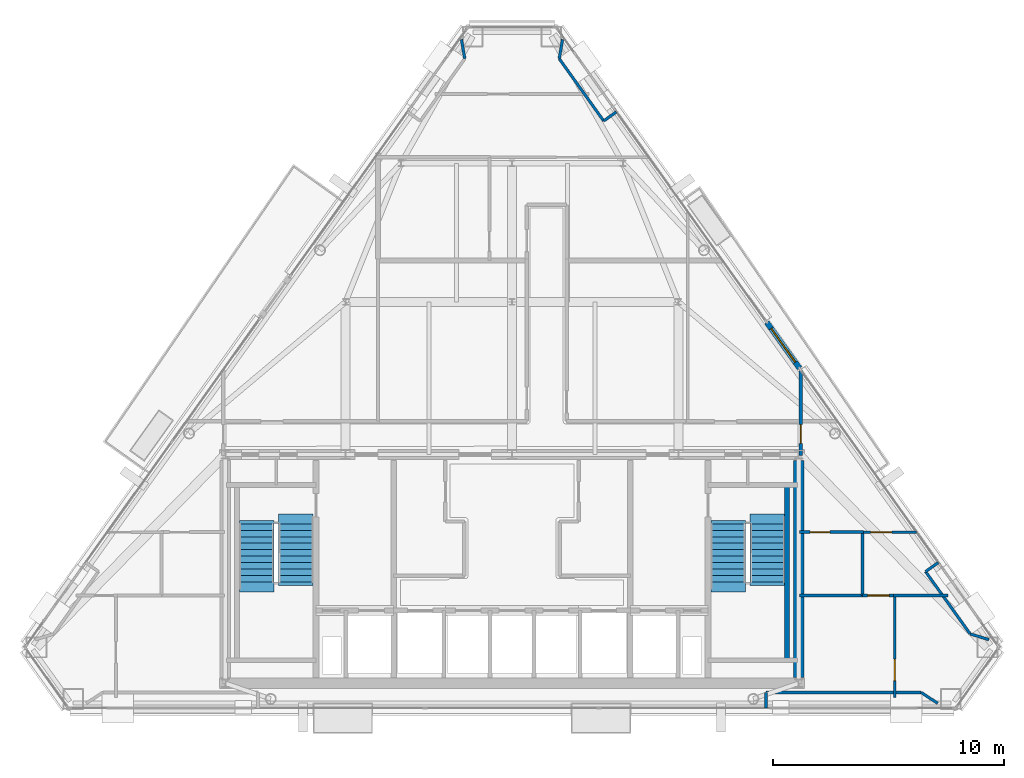
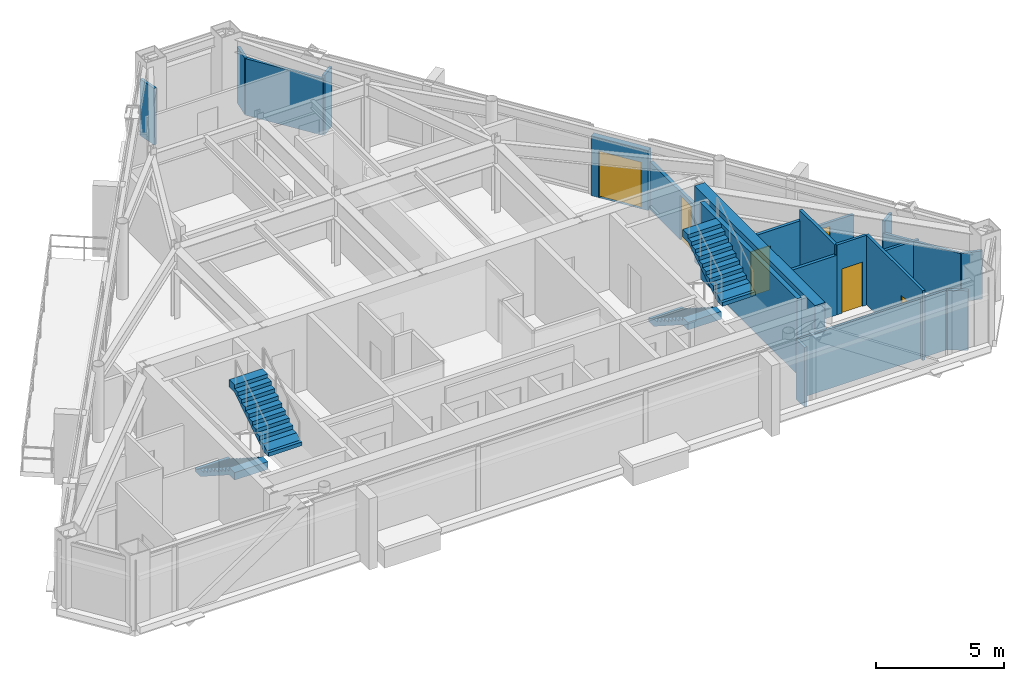
# One storey, part 10 of 12: 21 walls, 6 doors, 4 stair flights, 6 openings, 2 elements without a shape of their own.
"""IFC4 building model written with IfcOpenShell, lengths in metres."""

from ifc_helpers import new_model, si_unit, direction, frame, frame_2d, origin, place, context, subcontext, project, spatial, polyline, rectangle, outline, extrude, material, layer, layer_set, type_object, element, fill, aggregate, save


model = new_model("IFC4")

# Units and contexts
model_context = context("Model", 3, precision=1e-05, world=origin(), true_north=direction((0.0, 1.0)))
body_context = subcontext(model_context, "Body", "Model", "MODEL_VIEW")
ifc_project = project(units=[si_unit("LENGTHUNIT", "METRE"), si_unit("AREAUNIT", "SQUARE_METRE"), si_unit("VOLUMEUNIT", "CUBIC_METRE"), si_unit("PLANEANGLEUNIT", "RADIAN"), si_unit("MASSUNIT", "GRAM", prefix="KILO")], contexts=[model_context])

# Site, building, storey
site_placement = place(None, origin())
site = spatial("IfcSite", under=ifc_project, at=site_placement, CompositionType="ELEMENT")
building_placement = place(site_placement, origin())
building = spatial("IfcBuilding", under=site, at=building_placement, Name="Talgorran Terracotta Tower", CompositionType="ELEMENT")
storey_placement = place(building_placement, frame((0.0, 0.0, 281.39990234375)))
storey = spatial("IfcBuildingStorey", under=building, at=storey_placement, Name="L74", CompositionType="ELEMENT", Elevation=281.39990234375)

# Wall, opening, door
ifc_material_1 = material(Name="Concrete C40/50", Category="concrete")
ifc_layer_1 = layer(ifc_material_1, 0.239990234375, Name="WT_BALCONY_SPAND")
ifc_layer_set_1 = layer_set([ifc_layer_1], Name="Concrete C40/50")
wall_type_1 = type_object("IfcWallType", Name="WT_BALCONY_SPAND", PredefinedType="STANDARD", material=ifc_layer_set_1)
wall_1_placement = place(storey_placement, frame((12.447021484375, -0.470703125, -0.014892578125), z_axis=(0.0, 0.0, 1.0), x_axis=(-0.581219264245, 0.813746991927, 0.0)))
wall_1 = element("IfcWall", 1, at=wall_1_placement, inside=storey, type_object=wall_type_1, Name="WL-L74-BALP-BAL-NE", PredefinedType="STANDARD", context=body_context, shape_type="SweptSolid", body=[
    extrude(rectangle(XDim=2.440185546875, YDim=0.239990234375, at=frame_2d((1.22021484375, 0.0))), origin(), (0.0, 0.0, 1.0), 2.85302734375),
])
opening_1_placement = place(wall_1_placement, frame((0.320068359375, 0.0, 0.014892578125)))
opening_1 = element("IfcOpeningElement", 2, at=opening_1_placement, cuts=wall_1, Name="Opening D-BAL-L74-1", PredefinedType="OPENING", context=body_context, shape_type="SweptSolid", body=[
    extrude(rectangle(XDim=1.806048828125, YDim=2.203951171875, at=frame_2d((0.89990234375, 1.10205078125))), frame((0.0, 0.1298828125, 0.0), z_axis=(0.0, -1.0, 0.0), x_axis=(1.0, 0.0, 0.0)), (0.0, 0.0, 1.0), 0.260009765625),
])
ifc_material_2 = material(Name="Thermally Broken Aluminium", Category="aluminium")
door_type_1 = type_object("IfcDoorType", Name="DT_BALC_1800", OperationType="SLIDING_TO_LEFT", PredefinedType="DOOR", material=ifc_material_2)
door_1_placement = place(opening_1_placement, origin())
door_1 = element("IfcDoor", 3, at=door_1_placement, inside=storey, type_object=door_type_1, Name="DR-L74-BAL-BAL-NE", OperationType="SLIDING_TO_LEFT", OverallHeight=2.199951171875, OverallWidth=1.800048828125, PredefinedType="DOOR", context=body_context, shape_type="SweptSolid", body=[
    extrude(rectangle(XDim=1.800048828125, YDim=2.199951171875, at=frame_2d((0.89990234375, 1.10009765625))), frame((0.0, 0.02490234375, 0.0), z_axis=(0.0, -1.0, 0.0), x_axis=(1.0, 0.0, 0.0)), (0.0, 0.0, 1.0), 0.050048828125),
])
fill(opening_1, door_1)

# Walls
ifc_material_3 = material(Name="Concrete C50/60", Category="concrete")
ifc_layer_2 = layer(ifc_material_3, 0.199951171875, Name="WT_CORE_200")
ifc_layer_set_2 = layer_set([ifc_layer_2], Name="Concrete C50/60")
wall_type_2 = type_object("IfcWallType", Name="WT_CORE_200", PredefinedType="SOLIDWALL", material=ifc_layer_set_2)
wall_2_placement = place(storey_placement, frame((11.89990234375, -13.10009765625, 0.0), z_axis=(0.0, 0.0, 1.0), x_axis=(0.0, 1.0, 0.0)))
element("IfcWall", 4, at=wall_2_placement, inside=storey, type_object=wall_type_2, Name="WL-L74-CW-ST2-E", PredefinedType="SOLIDWALL", context=body_context, shape_type="SweptSolid", body=[
    extrude(rectangle(XDim=7.580078125, YDim=0.199951171875, at=frame_2d((3.7900390625, 0.0))), origin(), (0.0, 0.0, 1.0), 3.60009765625),
])
ifc_material_4 = material(Name="Concrete C65/80", Category="concrete")
ifc_layer_3 = layer(ifc_material_4, 0.449951171875, Name="WT_CORE_EXT")
ifc_layer_set_3 = layer_set([ifc_layer_3], Name="Concrete C65/80")
wall_type_3 = type_object("IfcWallType", Name="WT_CORE_EXT", PredefinedType="SHEAR", material=ifc_layer_set_3)
wall_3_placement = place(storey_placement, frame((12.39990234375, -13.85009765625, 0.0), z_axis=(0.0, 0.0, 1.0), x_axis=(0.0, 1.0, 0.0)))
element("IfcWall", 5, at=wall_3_placement, inside=storey, type_object=wall_type_3, Name="WL-L74-CW-OUT-E", PredefinedType="SHEAR", context=body_context, shape_type="SweptSolid", body=[
    extrude(rectangle(XDim=9.400146484375, YDim=0.449951171875, at=frame_2d((4.7001953125, 0.0))), origin(), (0.0, 0.0, 1.0), 3.60009765625),
])

# Wall, opening, door
ifc_material_5 = material(Name="Fire-Rated Steel Stud Plasterboard", Category="steel")
ifc_layer_4 = layer(ifc_material_5, 0.14990234375, Name="WT_FIRE_150")
ifc_layer_set_4 = layer_set([ifc_layer_4], Name="Fire-Rated Steel Stud Plasterboard")
wall_type_4 = type_object("IfcWallType", Name="WT_FIRE_150", PredefinedType="PARTITIONING", material=ifc_layer_set_4)
wall_4_placement = place(storey_placement, frame((12.5, -4.239990234375, 0.0), z_axis=(0.0, 0.0, 1.0), x_axis=(0.0, 1.0, 0.0)))
wall_4 = element("IfcWall", 6, at=wall_4_placement, inside=storey, type_object=wall_type_4, Name="WL-L74-W-L74-R02", PredefinedType="PARTITIONING", context=body_context, shape_type="SweptSolid", body=[
    extrude(rectangle(XDim=3.695068359375, YDim=0.14990234375, at=frame_2d((1.84765625, 0.0))), origin(), (0.0, 0.0, 1.0), 2.295166015625),
])
opening_2_placement = place(wall_4_placement, frame((0.515625, 0.0, 0.0)))
opening_2 = element("IfcOpeningElement", 7, at=opening_2_placement, cuts=wall_4, Name="Opening DR-L74-R06", PredefinedType="OPENING", context=body_context, shape_type="SweptSolid", body=[
    extrude(rectangle(XDim=0.826068359375, YDim=2.10409765625, at=frame_2d((0.41015625, 1.052001953125))), frame((0.0, 0.0849609375, 0.0), z_axis=(0.0, -1.0, 0.0), x_axis=(1.0, 0.0, 0.0)), (0.0, 0.0, 1.0), 0.169921875),
])
ifc_material_6 = material(Name="Moisture-Resistant Solid Timber", Category="wood")
door_type_2 = type_object("IfcDoorType", Name="DT_INT_820", OperationType="NOTDEFINED", PredefinedType="DOOR", material=ifc_material_6)
door_2_placement = place(opening_2_placement, origin())
door_2 = element("IfcDoor", 8, at=door_2_placement, inside=storey, type_object=door_type_2, Name="DR-L74-R06", OperationType="SINGLE_SWING_RIGHT", OverallHeight=2.10009765625, OverallWidth=0.820068359375, PredefinedType="DOOR", context=body_context, shape_type="SweptSolid", body=[
    extrude(rectangle(XDim=0.820068359375, YDim=2.10009765625, at=frame_2d((0.41015625, 1.050048828125))), frame((0.0, 0.02490234375, 0.0), z_axis=(0.0, -1.0, 0.0), x_axis=(1.0, 0.0, 0.0)), (0.0, 0.0, 1.0), 0.050048828125),
])
fill(opening_2, door_2)

# Wall
ifc_material_7 = material(Name="Insulated Steel Stud Plasterboard", Category="steel")
ifc_layer_5 = layer(ifc_material_7, 0.1201171875, Name="WT_PART_120")
ifc_layer_set_5 = layer_set([ifc_layer_5], Name="Insulated Steel Stud Plasterboard")
wall_type_5 = type_object("IfcWallType", Name="WT_PART_120", PredefinedType="PARTITIONING", material=ifc_layer_set_5)
wall_5_placement = place(storey_placement, frame((10.98974609375, -14.494384765625, 0.0), z_axis=(0.0, 0.0, 1.0), x_axis=(1.0, 0.0, 0.0)))
element("IfcWall", 9, at=wall_5_placement, inside=storey, type_object=wall_type_5, Name="WL-L74-BW-L74-06", PredefinedType="PARTITIONING", context=body_context, shape_type="SweptSolid", body=[
    extrude(rectangle(XDim=6.711669921875, YDim=0.1201171875, at=frame_2d((3.35595703125, 0.0))), origin(), (0.0, 0.0, 1.0), 2.838134765625),
])

# Wall, opening, door
wall_6_placement = place(storey_placement, frame((16.56005859375, -14.719970703125, 0.0), z_axis=(0.0, 0.0, 1.0), x_axis=(0.0, 1.0, 0.0)))
wall_6 = element("IfcWall", 10, at=wall_6_placement, inside=storey, type_object=wall_type_5, Name="WL-L74-W-L74-R26", PredefinedType="PARTITIONING", context=body_context, shape_type="SweptSolid", body=[
    extrude(rectangle(XDim=4.419921875, YDim=0.1201171875, at=frame_2d((2.2099609375, 0.0))), origin(), (0.0, 0.0, 1.0), 3.320068359375),
])
opening_3_placement = place(wall_6_placement, frame((0.739990234375, 0.0, 0.0)))
opening_3 = element("IfcOpeningElement", 11, at=opening_3_placement, cuts=wall_6, Name="Opening DR-L74-R10", PredefinedType="OPENING", context=body_context, shape_type="SweptSolid", body=[
    extrude(rectangle(XDim=0.925921875, YDim=2.10409765625, at=frame_2d((0.4599609375, 1.052001953125))), frame((0.0, 0.070068359375, 0.0), z_axis=(0.0, -1.0, 0.0), x_axis=(1.0, 0.0, 0.0)), (0.0, 0.0, 1.0), 0.14013671875),
])
ifc_material_8 = material(Name="Solid-Core Painted Timber", Category="wood")
door_type_3 = type_object("IfcDoorType", Name="DT_INT_920", OperationType="NOTDEFINED", PredefinedType="DOOR", material=ifc_material_8)
door_3_placement = place(opening_3_placement, origin())
door_3 = element("IfcDoor", 12, at=door_3_placement, inside=storey, type_object=door_type_3, Name="DR-L74-R10", OperationType="SINGLE_SWING_RIGHT", OverallHeight=2.10009765625, OverallWidth=0.919921875, PredefinedType="DOOR", context=body_context, shape_type="SweptSolid", body=[
    extrude(rectangle(XDim=0.919921875, YDim=2.10009765625, at=frame_2d((0.4599609375, 1.050048828125))), frame((0.0, 0.02490234375, 0.0), z_axis=(0.0, -1.0, 0.0), x_axis=(1.0, 0.0, 0.0)), (0.0, 0.0, 1.0), 0.050048828125),
])
fill(opening_3, door_3)

# Walls
wall_7_placement = place(storey_placement, frame((3.96728515625, 10.23095703125, 0.0), z_axis=(0.0, 0.0, 1.0), x_axis=(-0.581266097275, 0.813713539373, 0.0)))
element("IfcWall", 13, at=wall_7_placement, inside=storey, type_object=wall_type_5, Name="WL-L74-BW-L74-17", PredefinedType="PARTITIONING", context=body_context, shape_type="SweptSolid", body=[
    extrude(rectangle(XDim=3.310546875, YDim=0.1201171875, at=frame_2d((1.6552734375, 0.0))), origin(), (0.0, 0.0, 1.0), 2.693115234375),
])
wall_8_placement = place(storey_placement, frame((19.81982421875, -11.9619140625, 0.0), z_axis=(0.0, 0.0, 1.0), x_axis=(-0.581300979527, 0.813688620543, 0.0)))
element("IfcWall", 14, at=wall_8_placement, inside=storey, type_object=wall_type_5, Name="WL-L74-BW-L74-12", PredefinedType="PARTITIONING", context=body_context, shape_type="SweptSolid", body=[
    extrude(rectangle(XDim=3.310302734375, YDim=0.1201171875, at=frame_2d((1.6552734375, 0.0))), origin(), (0.0, 0.0, 1.0), 2.295166015625),
])

# Wall, opening, door
wall_9_placement = place(storey_placement, frame((15.201904296875, -7.56005859375, 0.0), z_axis=(0.0, 0.0, 1.0), x_axis=(1.0, 0.0, 0.0)))
wall_9 = element("IfcWall", 15, at=wall_9_placement, inside=storey, type_object=wall_type_5, Name="WL-L74-W-L74-R21", PredefinedType="PARTITIONING", context=body_context, shape_type="SweptSolid", body=[
    extrude(rectangle(XDim=2.30908203125, YDim=0.1201171875, at=frame_2d((1.154541015625, 0.0))), origin(), (0.0, 0.0, 1.0), 2.295166015625),
])
opening_4_placement = place(wall_9_placement, frame((0.31103515625, 0.0, 0.0)))
opening_4 = element("IfcOpeningElement", 16, at=opening_4_placement, cuts=wall_9, Name="Opening DR-L74-R08", PredefinedType="OPENING", context=body_context, shape_type="SweptSolid", body=[
    extrude(rectangle(XDim=0.925921875, YDim=2.10409765625, at=frame_2d((0.4599609375, 1.052001953125))), frame((0.0, 0.070068359375, 0.0), z_axis=(0.0, -1.0, 0.0), x_axis=(1.0, 0.0, 0.0)), (0.0, 0.0, 1.0), 0.14013671875),
])
door_4_placement = place(opening_4_placement, origin())
door_4 = element("IfcDoor", 17, at=door_4_placement, inside=storey, type_object=door_type_3, Name="DR-L74-R08", OperationType="SINGLE_SWING_RIGHT", OverallHeight=2.10009765625, OverallWidth=0.919921875, PredefinedType="DOOR", context=body_context, shape_type="SweptSolid", body=[
    extrude(rectangle(XDim=0.919921875, YDim=2.10009765625, at=frame_2d((0.4599609375, 1.050048828125))), frame((0.0, 0.02490234375, 0.0), z_axis=(0.0, -1.0, 0.0), x_axis=(1.0, 0.0, 0.0)), (0.0, 0.0, 1.0), 0.050048828125),
])
fill(opening_4, door_4)

# Wall
wall_10_placement = place(storey_placement, frame((16.5, -10.300048828125, 0.0), z_axis=(0.0, 0.0, 1.0), x_axis=(1.0, 0.0, 0.0)))
element("IfcWall", 18, at=wall_10_placement, inside=storey, type_object=wall_type_5, Name="WL-L74-W-L74-R25", PredefinedType="PARTITIONING", context=body_context, shape_type="SweptSolid", body=[
    extrude(rectangle(XDim=2.360107421875, YDim=0.1201171875, at=frame_2d((1.18017578125, 0.0))), origin(), (0.0, 0.0, 1.0), 2.295166015625),
])

# Wall, opening, door
wall_11_placement = place(storey_placement, frame((15.159912109375, -10.300048828125, 0.0), z_axis=(0.0, 0.0, 1.0), x_axis=(1.0, 0.0, 0.0)))
wall_11 = element("IfcWall", 19, at=wall_11_placement, inside=storey, type_object=wall_type_5, Name="WL-L74-W-L74-R24", PredefinedType="PARTITIONING", context=body_context, shape_type="SweptSolid", body=[
    extrude(rectangle(XDim=1.338134765625, YDim=0.1201171875, at=frame_2d((0.6689453125, 0.0))), origin(), (0.0, 0.0, 1.0), 3.320068359375),
])
opening_5_placement = place(wall_11_placement, frame((0.232421875, 0.0, 0.0)))
opening_5 = element("IfcOpeningElement", 20, at=opening_5_placement, cuts=wall_11, Name="Opening DR-L74-R09", PredefinedType="OPENING", context=body_context, shape_type="SweptSolid", body=[
    extrude(rectangle(XDim=0.925921875, YDim=2.10409765625, at=frame_2d((0.4599609375, 1.052001953125))), frame((0.0, 0.070068359375, 0.0), z_axis=(0.0, -1.0, 0.0), x_axis=(1.0, 0.0, 0.0)), (0.0, 0.0, 1.0), 0.14013671875),
])
door_5_placement = place(opening_5_placement, origin())
door_5 = element("IfcDoor", 21, at=door_5_placement, inside=storey, type_object=door_type_3, Name="DR-L74-R09", OperationType="SINGLE_SWING_LEFT", OverallHeight=2.10009765625, OverallWidth=0.919921875, PredefinedType="DOOR", context=body_context, shape_type="SweptSolid", body=[
    extrude(rectangle(XDim=0.919921875, YDim=2.10009765625, at=frame_2d((0.4599609375, 1.050048828125))), frame((0.0, 0.02490234375, 0.0), z_axis=(0.0, -1.0, 0.0), x_axis=(1.0, 0.0, 0.0)), (0.0, 0.0, 1.0), 0.050048828125),
])
fill(opening_5, door_5)

# Walls
wall_12_placement = place(storey_placement, frame((17.701416015625, -14.494384765625, 0.0), z_axis=(0.0, 0.0, 1.0), x_axis=(0.83506849916, -0.550145982182, 0.0)))
element("IfcWall", 22, at=wall_12_placement, inside=storey, type_object=wall_type_5, Name="WL-L74-BW-L74-04", PredefinedType="PARTITIONING", context=body_context, shape_type="SweptSolid", body=[
    extrude(rectangle(XDim=0.855224609375, YDim=0.1201171875, at=frame_2d((0.427734375, 0.0))), origin(), (0.0, 0.0, 1.0), 2.838134765625),
])
wall_13_placement = place(storey_placement, frame((20.6357421875, -12.2119140625, 0.0), z_axis=(0.0, 0.0, 1.0), x_axis=(-0.956124750871, 0.292959827915, 0.0)))
element("IfcWall", 23, at=wall_13_placement, inside=storey, type_object=wall_type_5, Name="WL-L74-BW-L74-11", PredefinedType="PARTITIONING", context=body_context, shape_type="SweptSolid", body=[
    extrude(rectangle(XDim=0.853271484375, YDim=0.1201171875, at=frame_2d((0.4267578125, 0.0))), origin(), (0.0, 0.0, 1.0), 2.295166015625),
])
for number, where, z_axis, x_axis, name in (
    (24, (-2.188232421875, 13.761474609375, 0.0), (0.0, 0.0, 1.0), (0.171062108883, -0.985260247297, 0.0), "WL-L74-BW-L74-13"),
    (25, (2.04296875, 12.9248046875, 0.0), (0.0, 0.0, 1.0), (0.171062108883, 0.985260247297, 0.0), "WL-L74-BW-L74-18"),
):
    element("IfcWall", number, at=place(storey_placement, frame(where, z_axis=z_axis, x_axis=x_axis)), inside=storey, type_object=wall_type_5, Name=name, PredefinedType="PARTITIONING", context=body_context, shape_type="SweptSolid", body=[
        extrude(rectangle(XDim=0.84912109375, YDim=0.1201171875, at=frame_2d((0.424560546875, 0.0))), origin(), (0.0, 0.0, 1.0), 2.693115234375),
    ])
for number, where, z_axis, x_axis, name in (
    (26, (10.98974609375, -15.164306640625, 0.0), (0.0, 0.0, 1.0), (0.0, 1.0, 0.0), "WL-L74-BW-L74-05"),
    (27, (4.512451171875, 10.620361328125, 0.0), (0.0, 0.0, 1.0), (-0.813733471207, -0.581238193719, 0.0), "WL-L74-BW-L74-16"),
):
    element("IfcWall", number, at=place(storey_placement, frame(where, z_axis=z_axis, x_axis=x_axis)), inside=storey, type_object=wall_type_5, Name=name, PredefinedType="PARTITIONING", context=body_context, shape_type="SweptSolid", body=[
        extrude(rectangle(XDim=0.669921875, YDim=0.1201171875, at=frame_2d((0.3349609375, 0.0))), origin(), (0.0, 0.0, 1.0), 2.838134765625),
    ])
wall_14_placement = place(storey_placement, frame((17.8955078125, -9.268310546875, 0.0), z_axis=(0.0, 0.0, 1.0), x_axis=(0.81385652885, 0.581065874448, 0.0)))
element("IfcWall", 28, at=wall_14_placement, inside=storey, type_object=wall_type_5, Name="WL-L74-BW-L74-10", PredefinedType="PARTITIONING", context=body_context, shape_type="SweptSolid", body=[
    extrude(rectangle(XDim=0.670166015625, YDim=0.1201171875, at=frame_2d((0.3349609375, 0.0))), origin(), (0.0, 0.0, 1.0), 2.838134765625),
])

# Wall, opening, door
ifc_material_9 = material(Name="Moisture-Resistant Stud Wall")
ifc_layer_6 = layer(ifc_material_9, 0.135009765625, Name="WT_PART_135")
ifc_layer_set_6 = layer_set([ifc_layer_6], Name="Moisture-Resistant Stud Wall")
wall_type_6 = type_object("IfcWallType", Name="WT_PART_135", PredefinedType="PARTITIONING", material=ifc_layer_set_6)
wall_15_placement = place(storey_placement, frame((12.43994140625, -7.56005859375, 0.0), z_axis=(0.0, 0.0, 1.0), x_axis=(1.0, 0.0, 0.0)))
wall_15 = element("IfcWall", 29, at=wall_15_placement, inside=storey, type_object=wall_type_6, Name="WL-L74-W-L74-R20", PredefinedType="PARTITIONING", context=body_context, shape_type="SweptSolid", body=[
    extrude(rectangle(XDim=2.760009765625, YDim=0.135009765625, at=frame_2d((1.3798828125, 0.0))), origin(), (0.0, 0.0, 1.0), 2.838134765625),
])
opening_6_placement = place(wall_15_placement, frame((0.458251953125, 0.0, 0.0)))
opening_6 = element("IfcOpeningElement", 30, at=opening_6_placement, cuts=wall_15, Name="Opening DR-L74-R07", PredefinedType="OPENING", context=body_context, shape_type="SweptSolid", body=[
    extrude(rectangle(XDim=0.85609765625, YDim=2.10409765625, at=frame_2d((0.425048828125, 1.052001953125))), frame((0.0, 0.07763671875, 0.0), z_axis=(0.0, -1.0, 0.0), x_axis=(1.0, 0.0, 0.0)), (0.0, 0.0, 1.0), 0.155029296875),
])
door_type_4 = type_object("IfcDoorType", Name="DT_INT_850", OperationType="NOTDEFINED", PredefinedType="DOOR", material=ifc_material_6)
door_6_placement = place(opening_6_placement, origin())
door_6 = element("IfcDoor", 31, at=door_6_placement, inside=storey, type_object=door_type_4, Name="DR-L74-R07", OperationType="SINGLE_SWING_LEFT", OverallHeight=2.10009765625, OverallWidth=0.85009765625, PredefinedType="DOOR", context=body_context, shape_type="SweptSolid", body=[
    extrude(rectangle(XDim=0.85009765625, YDim=2.10009765625, at=frame_2d((0.425048828125, 1.050048828125))), frame((0.0, 0.02490234375, 0.0), z_axis=(0.0, -1.0, 0.0), x_axis=(1.0, 0.0, 0.0)), (0.0, 0.0, 1.0), 0.050048828125),
])
fill(opening_6, door_6)

# Walls
wall_16_placement = place(storey_placement, frame((15.159912109375, -10.300048828125, 0.0), z_axis=(0.0, 0.0, 1.0), x_axis=(0.0, 1.0, 0.0)))
element("IfcWall", 32, at=wall_16_placement, inside=storey, type_object=wall_type_6, Name="WL-L74-W-L74-R22", PredefinedType="PARTITIONING", context=body_context, shape_type="SweptSolid", body=[
    extrude(rectangle(XDim=2.739990234375, YDim=0.135009765625, at=frame_2d((1.3701171875, 0.0))), origin(), (0.0, 0.0, 1.0), 3.320068359375),
])
wall_17_placement = place(storey_placement, frame((12.43994140625, -10.300048828125, 0.0), z_axis=(0.0, 0.0, 1.0), x_axis=(1.0, 0.0, 0.0)))
element("IfcWall", 33, at=wall_17_placement, inside=storey, type_object=wall_type_6, Name="WL-L74-W-L74-R23", PredefinedType="PARTITIONING", context=body_context, shape_type="SweptSolid", body=[
    extrude(rectangle(XDim=2.719970703125, YDim=0.135009765625, at=frame_2d((1.35986328125, 0.0))), origin(), (0.0, 0.0, 1.0), 2.838134765625),
])

# Stair, stair flights
stair_type = type_object("IfcStairType", Name="ST_FIRE_SCISSOR", PredefinedType="HALF_TURN_STAIR", material=ifc_material_1)
stair_1_placement = place(storey_placement, origin())
stair_1 = element("IfcStair", 34, at=stair_1_placement, inside=storey, type_object=stair_type, Name="L74 West Protected Fire Stair ST-01", PredefinedType="HALF_TURN_STAIR")
ifc_layer_7 = layer(ifc_material_1, 0.179931640625, Name="STF_RC_1500")
ifc_layer_set_7 = layer_set([ifc_layer_7], Name="Concrete C40/50")
stair_flight_type = type_object("IfcStairFlightType", Name="STF_RC_1500", PredefinedType="STRAIGHT", material=ifc_layer_set_7)
stair_flight_1_placement = place(storey_placement, frame((-11.050048828125, -7.199951171875, 0.0), z_axis=(0.0, 0.0, 1.0), x_axis=(0.0, -1.0, 0.0)))
stair_flight_1 = element("IfcStairFlight", 35, at=stair_flight_1_placement, type_object=stair_flight_type, Name="ST-01 flight 1", NumberOfRisers=10, NumberOfTreads=9, PredefinedType="STRAIGHT", RiserHeight=0.18, TreadLength=0.28, context=body_context, shape_type="SweptSolid", body=[
    extrude(outline(polyline([(-0.139892578125, 0.0), (-0.139892578125, 0.179931640625), (0.0, 0.179931640625), (0.280029296875, 0.360107421875), (0.56005859375, 0.360107421875), (0.56005859375, 0.5400390625), (0.840087890625, 0.5400390625), (0.840087890625, 0.719970703125), (1.1201171875, 0.719970703125), (1.1201171875, 0.89990234375), (1.39990234375, 0.89990234375), (1.39990234375, 1.080078125), (1.679931640625, 1.080078125), (1.679931640625, 1.260009765625), (1.9599609375, 1.260009765625), (1.9599609375, 1.43994140625), (2.239990234375, 1.43994140625), (2.239990234375, 1.6201171875), (2.52001953125, 1.6201171875), (2.52001953125, 1.800048828125), (2.93994140625, 1.800048828125), (2.93994140625, 1.44189453125), (2.52001953125, 1.44189453125), (0.277099609375, 0.0), (-0.139892578125, 0.0)])), frame((0.0, 0.75, 0.0), z_axis=(0.0, -1.0, 0.0), x_axis=(1.0, 0.0, 0.0)), (0.0, 0.0, 1.0), 1.5),
])
stair_flight_2_placement = place(storey_placement, frame((-9.35009765625, -9.719970703125, 1.800048828125), z_axis=(0.0, 0.0, 1.0), x_axis=(0.0, 1.0, 0.0)))
stair_flight_2 = element("IfcStairFlight", 36, at=stair_flight_2_placement, type_object=stair_flight_type, Name="ST-01 flight 2", NumberOfRisers=10, NumberOfTreads=9, PredefinedType="STRAIGHT", RiserHeight=0.18, TreadLength=0.28, context=body_context, shape_type="SweptSolid", body=[
    extrude(outline(polyline([(-0.139892578125, 0.0), (-0.139892578125, 0.179931640625), (0.0, 0.179931640625), (0.280029296875, 0.360107421875), (0.56005859375, 0.360107421875), (0.56005859375, 0.5400390625), (0.840087890625, 0.5400390625), (0.840087890625, 0.719970703125), (1.1201171875, 0.719970703125), (1.1201171875, 0.89990234375), (1.39990234375, 0.89990234375), (1.39990234375, 1.080078125), (1.679931640625, 1.080078125), (1.679931640625, 1.260009765625), (1.9599609375, 1.260009765625), (1.9599609375, 1.43994140625), (2.239990234375, 1.43994140625), (2.239990234375, 1.6201171875), (2.52001953125, 1.6201171875), (2.52001953125, 1.800048828125), (2.93994140625, 1.800048828125), (2.93994140625, 1.44189453125), (2.52001953125, 1.44189453125), (0.277099609375, 0.0), (-0.139892578125, 0.0)])), frame((0.0, 0.75, 0.0), z_axis=(0.0, -1.0, 0.0), x_axis=(1.0, 0.0, 0.0)), (0.0, 0.0, 1.0), 1.5),
])
aggregate(stair_1, [stair_flight_1, stair_flight_2])

stair_2_placement = place(storey_placement, origin())
stair_2 = element("IfcStair", 37, at=stair_2_placement, inside=storey, type_object=stair_type, Name="L74 East Protected Fire Stair ST-02", PredefinedType="HALF_TURN_STAIR")
stair_flight_3_placement = place(storey_placement, frame((9.35009765625, -7.199951171875, 0.0), z_axis=(0.0, 0.0, 1.0), x_axis=(0.0, -1.0, 0.0)))
stair_flight_3 = element("IfcStairFlight", 38, at=stair_flight_3_placement, type_object=stair_flight_type, Name="ST-02 flight 1", NumberOfRisers=10, NumberOfTreads=9, PredefinedType="STRAIGHT", RiserHeight=0.18, TreadLength=0.28, context=body_context, shape_type="SweptSolid", body=[
    extrude(outline(polyline([(-0.139892578125, 0.0), (-0.139892578125, 0.179931640625), (0.0, 0.179931640625), (0.280029296875, 0.360107421875), (0.56005859375, 0.360107421875), (0.56005859375, 0.5400390625), (0.840087890625, 0.5400390625), (0.840087890625, 0.719970703125), (1.1201171875, 0.719970703125), (1.1201171875, 0.89990234375), (1.39990234375, 0.89990234375), (1.39990234375, 1.080078125), (1.679931640625, 1.080078125), (1.679931640625, 1.260009765625), (1.9599609375, 1.260009765625), (1.9599609375, 1.43994140625), (2.239990234375, 1.43994140625), (2.239990234375, 1.6201171875), (2.52001953125, 1.6201171875), (2.52001953125, 1.800048828125), (2.93994140625, 1.800048828125), (2.93994140625, 1.44189453125), (2.52001953125, 1.44189453125), (0.277099609375, 0.0), (-0.139892578125, 0.0)])), frame((0.0, 0.75, 0.0), z_axis=(0.0, -1.0, 0.0), x_axis=(1.0, 0.0, 0.0)), (0.0, 0.0, 1.0), 1.5),
])
stair_flight_4_placement = place(storey_placement, frame((11.050048828125, -9.719970703125, 1.800048828125), z_axis=(0.0, 0.0, 1.0), x_axis=(0.0, 1.0, 0.0)))
stair_flight_4 = element("IfcStairFlight", 39, at=stair_flight_4_placement, type_object=stair_flight_type, Name="ST-02 flight 2", NumberOfRisers=10, NumberOfTreads=9, PredefinedType="STRAIGHT", RiserHeight=0.18, TreadLength=0.28, context=body_context, shape_type="SweptSolid", body=[
    extrude(outline(polyline([(-0.139892578125, 0.0), (-0.139892578125, 0.179931640625), (0.0, 0.179931640625), (0.280029296875, 0.360107421875), (0.56005859375, 0.360107421875), (0.56005859375, 0.5400390625), (0.840087890625, 0.5400390625), (0.840087890625, 0.719970703125), (1.1201171875, 0.719970703125), (1.1201171875, 0.89990234375), (1.39990234375, 0.89990234375), (1.39990234375, 1.080078125), (1.679931640625, 1.080078125), (1.679931640625, 1.260009765625), (1.9599609375, 1.260009765625), (1.9599609375, 1.43994140625), (2.239990234375, 1.43994140625), (2.239990234375, 1.6201171875), (2.52001953125, 1.6201171875), (2.52001953125, 1.800048828125), (2.93994140625, 1.800048828125), (2.93994140625, 1.44189453125), (2.52001953125, 1.44189453125), (0.277099609375, 0.0), (-0.139892578125, 0.0)])), frame((0.0, 0.75, 0.0), z_axis=(0.0, -1.0, 0.0), x_axis=(1.0, 0.0, 0.0)), (0.0, 0.0, 1.0), 1.5),
])
aggregate(stair_2, [stair_flight_3, stair_flight_4])

save(model, "model.ifc")
